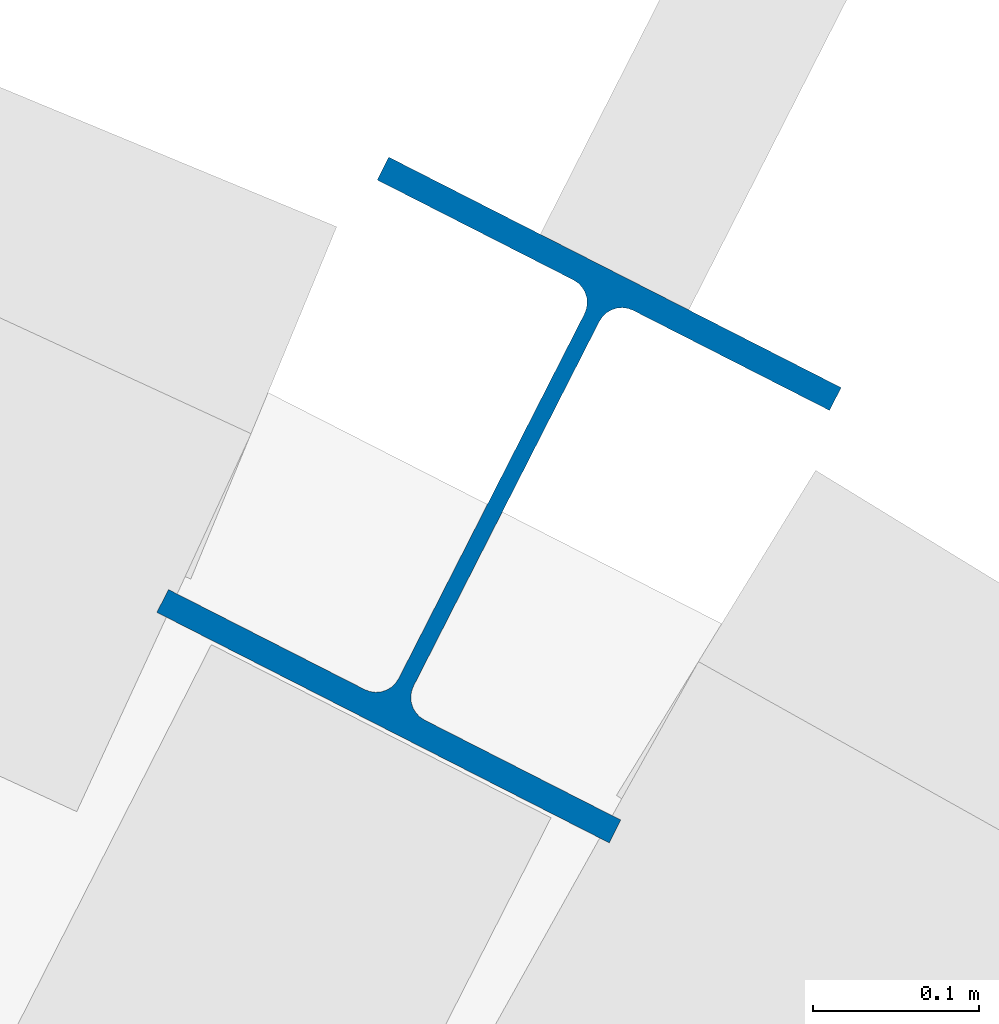
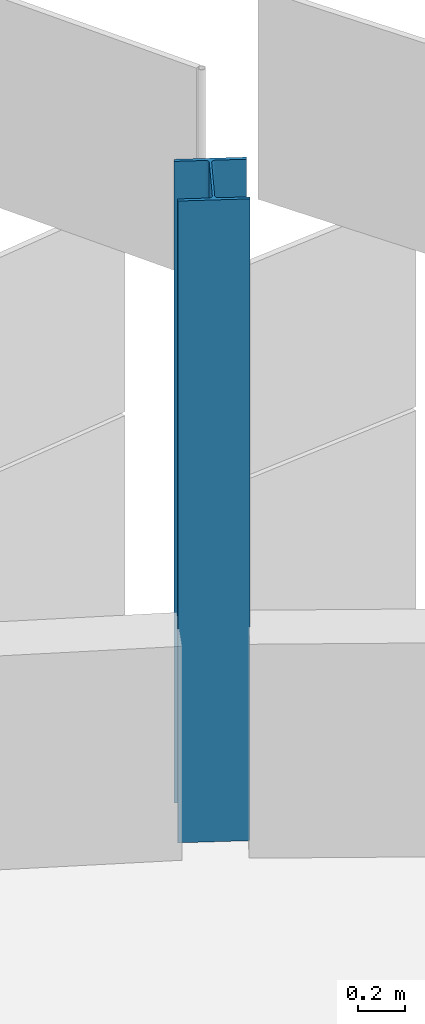
# One storey, part 28 of 198: 1 column.
"""IFC4 building model written with IfcOpenShell, lengths in metres."""

from ifc_helpers import new_model, si_unit, direction, frame, origin, origin_2d, place, context, subcontext, project, spatial, i_section, extrude, material, material_profile, profile_set, type_object, element, save


model = new_model("IFC4")

# Units and contexts
model_context = context("Model", 3, precision=1e-05, world=origin(), true_north=direction((0.0, 1.0)))
body_context = subcontext(model_context, "Body", "Model", "MODEL_VIEW")
ifc_project = project(units=[si_unit("LENGTHUNIT", "METRE"), si_unit("AREAUNIT", "SQUARE_METRE"), si_unit("VOLUMEUNIT", "CUBIC_METRE"), si_unit("PLANEANGLEUNIT", "RADIAN"), si_unit("MASSUNIT", "GRAM", prefix="KILO")], contexts=[model_context])

# Site, building, storey
site_placement = place(None, origin())
site = spatial("IfcSite", under=ifc_project, at=site_placement, CompositionType="ELEMENT")
building_placement = place(site_placement, origin())
building = spatial("IfcBuilding", under=site, at=building_placement, Name="Parallax Yard Mobility Hub", CompositionType="ELEMENT")
storey_placement = place(building_placement, frame((0.0, 0.0, 6.60009765625)))
storey = spatial("IfcBuildingStorey", under=building, at=storey_placement, Name="L02", CompositionType="ELEMENT", Elevation=6.60009765625)

# Column
ifc_material = material(Name="Steel ASTM A992", Category="steel")
ifc_material_profile = material_profile(ifc_material, i_section(OverallWidth=0.304931640625, OverallDepth=0.306884765625, WebThickness=0.010009765625, FlangeThickness=0.015380859375, FilletRadius=0.01513671875, at=origin_2d()), Name="W310x97")
ifc_profile_set = profile_set([ifc_material_profile], Name="Steel ASTM A992")
column_type = type_object("IfcColumnType", Name="W310x97 column", PredefinedType="COLUMN", material=ifc_profile_set)
column_placement = place(storey_placement, frame((196.33447265625, 136.77783203125, 0.0), z_axis=(0.0, 0.0, 1.0), x_axis=(-0.891006524188, 0.45399049974, 0.0)))
element("IfcColumn", 1, at=column_placement, inside=storey, type_object=column_type, Name="Column C1 level L02 at RC/R3 of ramped parking decks", PredefinedType="COLUMN", context=body_context, shape_type="SweptSolid", body=[
    extrude(i_section(OverallWidth=0.304931640625, OverallDepth=0.306884765625, WebThickness=0.010009765625, FlangeThickness=0.015380859375, FilletRadius=0.01513671875, at=origin_2d()), origin(), (0.0, 0.0, 1.0), 3.2998046875),
])

save(model, "model.ifc")
